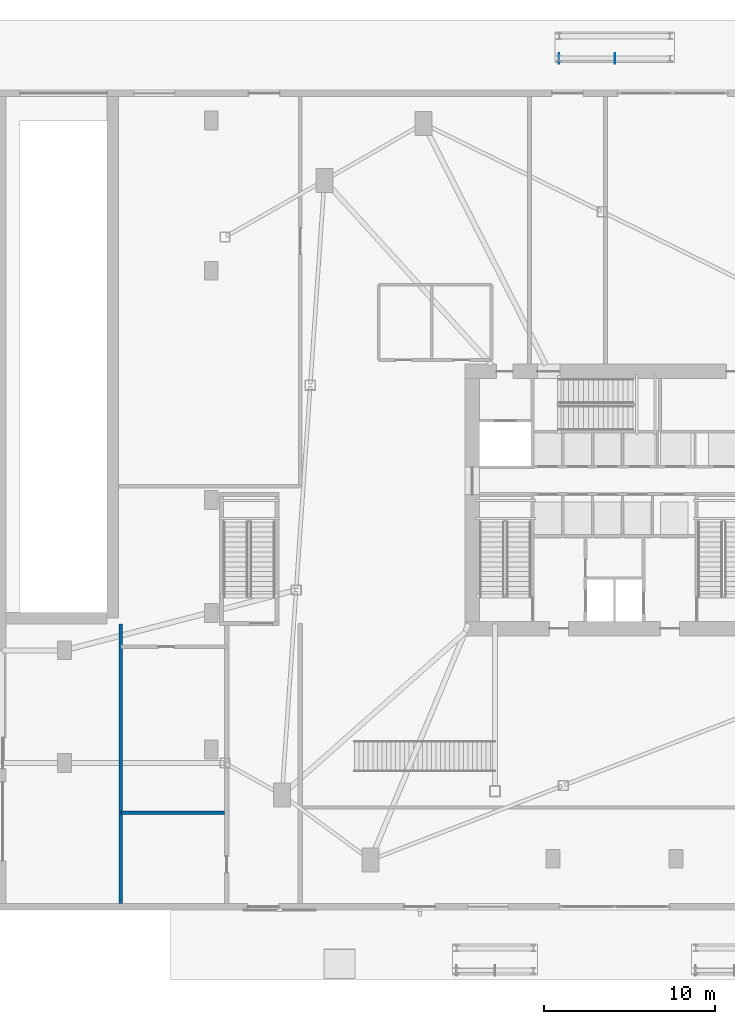
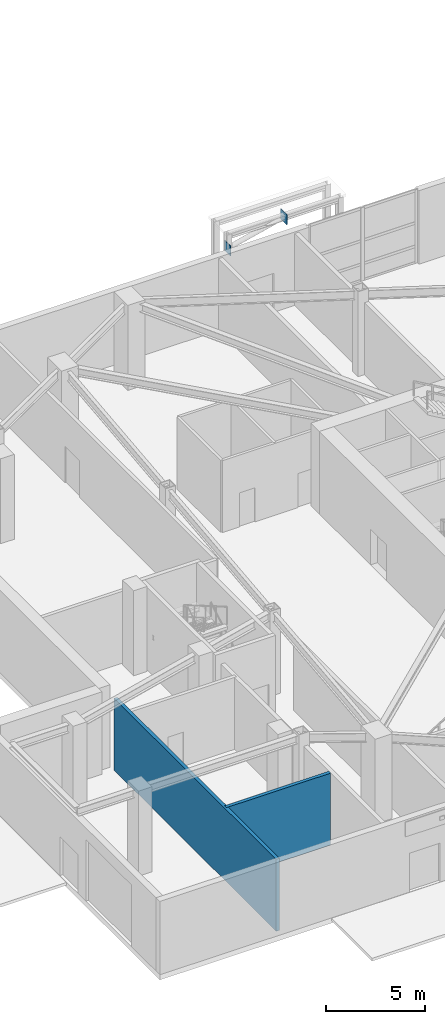
# One storey, part 12 of 22: 2 plates, 2 walls.
"""IFC4 building model written with IfcOpenShell, lengths in metres."""

from ifc_helpers import new_model, si_unit, direction, frame, frame_2d, origin, origin_2d, place, context, subcontext, project, spatial, rectangle, extrude, source, transform, mapped, material, layer, layer_set, type_object, element, save


model = new_model("IFC4")

# Units and contexts
model_context = context("Model", 3, precision=1e-05, world=origin(), true_north=direction((0.0, 1.0)))
body_context = subcontext(model_context, "Body", "Model", "MODEL_VIEW")
ifc_project = project(units=[si_unit("LENGTHUNIT", "METRE"), si_unit("AREAUNIT", "SQUARE_METRE"), si_unit("VOLUMEUNIT", "CUBIC_METRE"), si_unit("PLANEANGLEUNIT", "RADIAN"), si_unit("MASSUNIT", "GRAM", prefix="KILO")], contexts=[model_context])

# Site, building, storey
site_placement = place(None, origin())
site = spatial("IfcSite", under=ifc_project, at=site_placement, CompositionType="ELEMENT")
building_placement = place(site_placement, origin())
building = spatial("IfcBuilding", under=site, at=building_placement, Name="Olszyna Solenne Hotel", CompositionType="ELEMENT")
storey_placement = place(building_placement, origin())
storey = spatial("IfcBuildingStorey", under=building, at=storey_placement, Name="L00", CompositionType="ELEMENT", Elevation=0.0)

# Plates
ifc_material_1 = material(Name="Steel S460M", Category="steel")
plate_type = type_object("IfcPlateType", Name="GP-CAP2", PredefinedType="USERDEFINED", material=ifc_material_1)
shared_shape = source(origin(), body_context, "Body", "SweptSolid", [
    extrude(rectangle(XDim=0.030029296875, YDim=0.6201171875, at=origin_2d()), origin(), (0.0, 0.0, 1.0), 0.6201171875),
])
for number, where, z_axis, x_axis, name in (
    (1, (34.7353515625, 52.449951171875, 2.7900390625), (0.0, 0.0, 1.0), (1.0, 0.0, 0.0), "Hollow section end-cap plate GP-CAP2 CP-CN-M-CN-CN-N1-1"),
    (2, (38.0146484375, 52.449951171875, 3.56982421875), (0.0, 0.0, 1.0), (1.0, 0.0, 0.0), "Hollow section end-cap plate GP-CAP2 CP-CN-M-CN-CN-N1-2"),
):
    element("IfcPlate", number, at=place(storey_placement, frame(where, z_axis=z_axis, x_axis=x_axis)), inside=storey, type_object=plate_type, Name=name, ObjectType="GUSSET_PLATE", PredefinedType="USERDEFINED", context=body_context, shape_type="MappedRepresentation", body=[
        mapped(shared_shape, transform((0.0, 0.0, 0.0), x_axis=(1.0, 0.0, 0.0), y_axis=(0.0, 1.0, 0.0), z_axis=(0.0, 0.0, 1.0), scale=1.0)),
    ])

# Walls
ifc_material_2 = material(Name="Acoustic gypsum partition", Category="gypsum")
ifc_layer = layer(ifc_material_2, 0.199951171875, Name="Acoustic gypsum partition")
ifc_layer_set = layer_set([ifc_layer], Name="Acoustic gypsum partition")
wall_type = type_object("IfcWallType", Name="WL-PT200", PredefinedType="PARTITIONING", material=ifc_layer_set)
wall_1_placement = place(storey_placement, frame((9.10009765625, 2.97998046875, 0.0), z_axis=(0.0, 0.0, 1.0), x_axis=(0.0, 1.0, 0.0)))
element("IfcWall", 3, at=wall_1_placement, inside=storey, type_object=wall_type, Name="Interior acoustic partition WL-PT200 PW-L00-0085", PredefinedType="PARTITIONING", context=body_context, shape_type="SweptSolid", body=[
    extrude(rectangle(XDim=16.3701171875, YDim=0.199951171875, at=frame_2d((8.18505859375, 0.0))), origin(), (0.0, 0.0, 1.0), 4.429931640625),
])
wall_2_placement = place(storey_placement, frame((9.10009765625, 8.280029296875, 0.0), z_axis=(0.0, 0.0, 1.0), x_axis=(1.0, 0.0, 0.0)))
element("IfcWall", 4, at=wall_2_placement, inside=storey, type_object=wall_type, Name="Interior acoustic partition WL-PT200 PW-L00-0086", PredefinedType="PARTITIONING", context=body_context, shape_type="SweptSolid", body=[
    extrude(rectangle(XDim=6.079833984375, YDim=0.199951171875, at=frame_2d((3.0400390625, 0.0))), origin(), (0.0, 0.0, 1.0), 4.429931640625),
])

save(model, "model.ifc")
